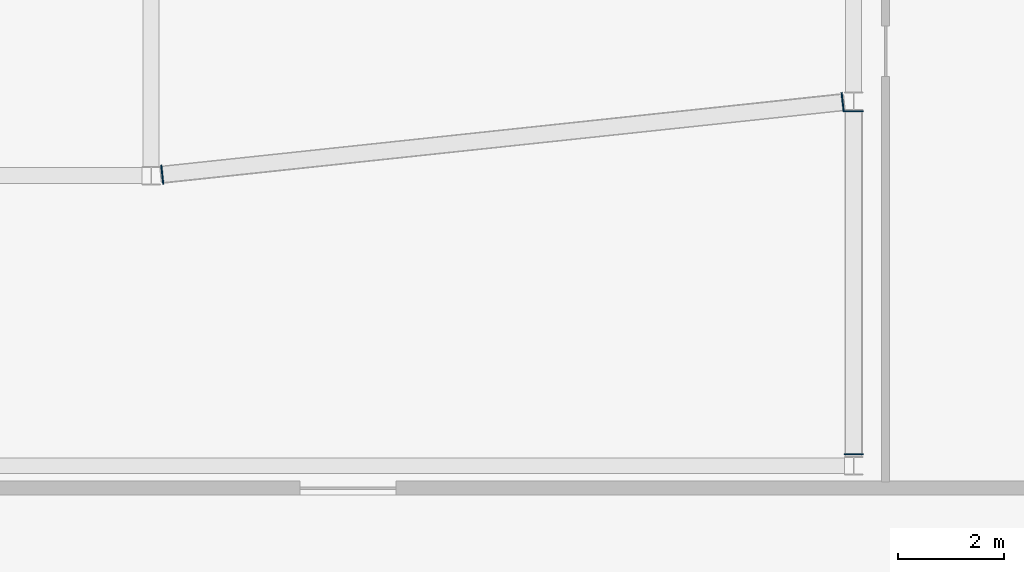
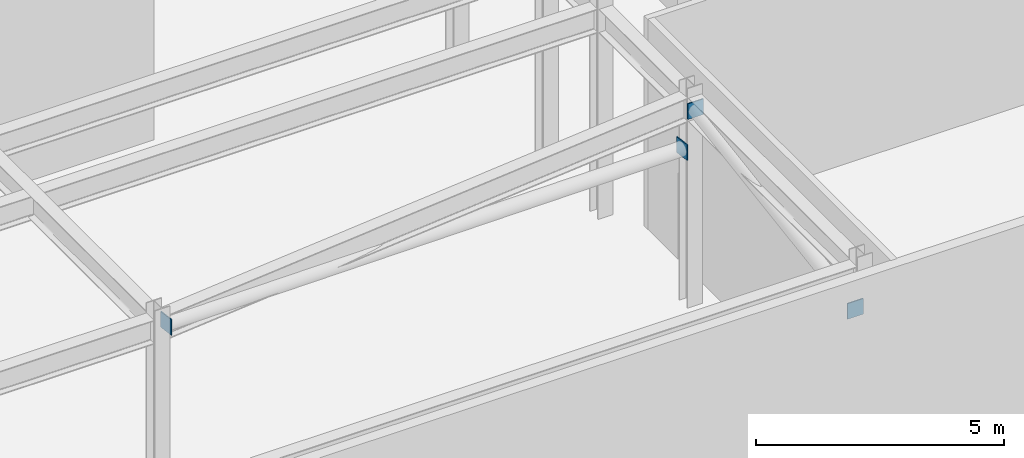
# One storey, part 6 of 20: 4 plates.
"""IFC4 building model written with IfcOpenShell, lengths in metres."""

from ifc_helpers import new_model, si_unit, direction, frame, origin, origin_2d, place, context, subcontext, project, spatial, rectangle, extrude, material, layer, layer_set, type_object, element, save


model = new_model("IFC4")

# Units and contexts
model_context = context("Model", 3, precision=1e-05, world=origin(), true_north=direction((0.0, 1.0)))
body_context = subcontext(model_context, "Body", "Model", "MODEL_VIEW")
ifc_project = project(units=[si_unit("LENGTHUNIT", "METRE"), si_unit("AREAUNIT", "SQUARE_METRE"), si_unit("VOLUMEUNIT", "CUBIC_METRE"), si_unit("PLANEANGLEUNIT", "RADIAN"), si_unit("MASSUNIT", "GRAM", prefix="KILO")], contexts=[model_context])

# Site, building, storey
site_placement = place(None, origin())
site = spatial("IfcSite", under=ifc_project, at=site_placement, CompositionType="ELEMENT")
building_placement = place(site_placement, origin())
building = spatial("IfcBuilding", under=site, at=building_placement, Name="Haolan Belvedere Tower", CompositionType="ELEMENT")
storey_placement = place(building_placement, origin())
storey = spatial("IfcBuildingStorey", under=building, at=storey_placement, Name="L00", CompositionType="ELEMENT", Elevation=0.0)

# Plates
ifc_material = material(Name="Steel Q355B", Category="steel")
ifc_layer = layer(ifc_material, 0.02490234375, Name="Steel Q355B")
ifc_layer_set = layer_set([ifc_layer], Name="Steel Q355B")
plate_type = type_object("IfcPlateType", Name="PL-CAP-25", PredefinedType="SHEET", material=ifc_layer_set)
for number, where, z_axis, x_axis, name in (
    (1, (58.800048828125, 0.767578125, 3.65576171875), (0.0, 0.0, 1.0), (1.0, 0.0, 0.0), "Hollow steel end-cap plate CAN-STRUT-L00-2-CAP0"),
    (2, (58.800048828125, 7.21240234375, 4.6591796875), (0.0, 0.0, 1.0), (-1.0, 0.0, 0.0), "Hollow steel end-cap plate CAN-STRUT-L00-2-CAP1"),
    (3, (45.8076171875, 6.018798828125, 4.65869140625), (0.0, 0.0, 1.0), (0.10598639566, -0.994367579889, 0.0), "Hollow steel end-cap plate CAN-STRUT-L00-4-CAP0"),
    (4, (58.59228515625, 7.38134765625, 3.65673828125), (0.0, 0.0, 1.0), (-0.10598639566, 0.994367579889, 0.0), "Hollow steel end-cap plate CAN-STRUT-L00-4-CAP1"),
):
    element("IfcPlate", number, at=place(storey_placement, frame(where, z_axis=z_axis, x_axis=x_axis)), inside=storey, type_object=plate_type, Name=name, PredefinedType="SHEET", context=body_context, shape_type="SweptSolid", body=[
        extrude(rectangle(XDim=0.364990234375, YDim=0.02490234375, at=origin_2d()), origin(), (0.0, 0.0, 1.0), 0.385009765625),
    ])

save(model, "model.ifc")
